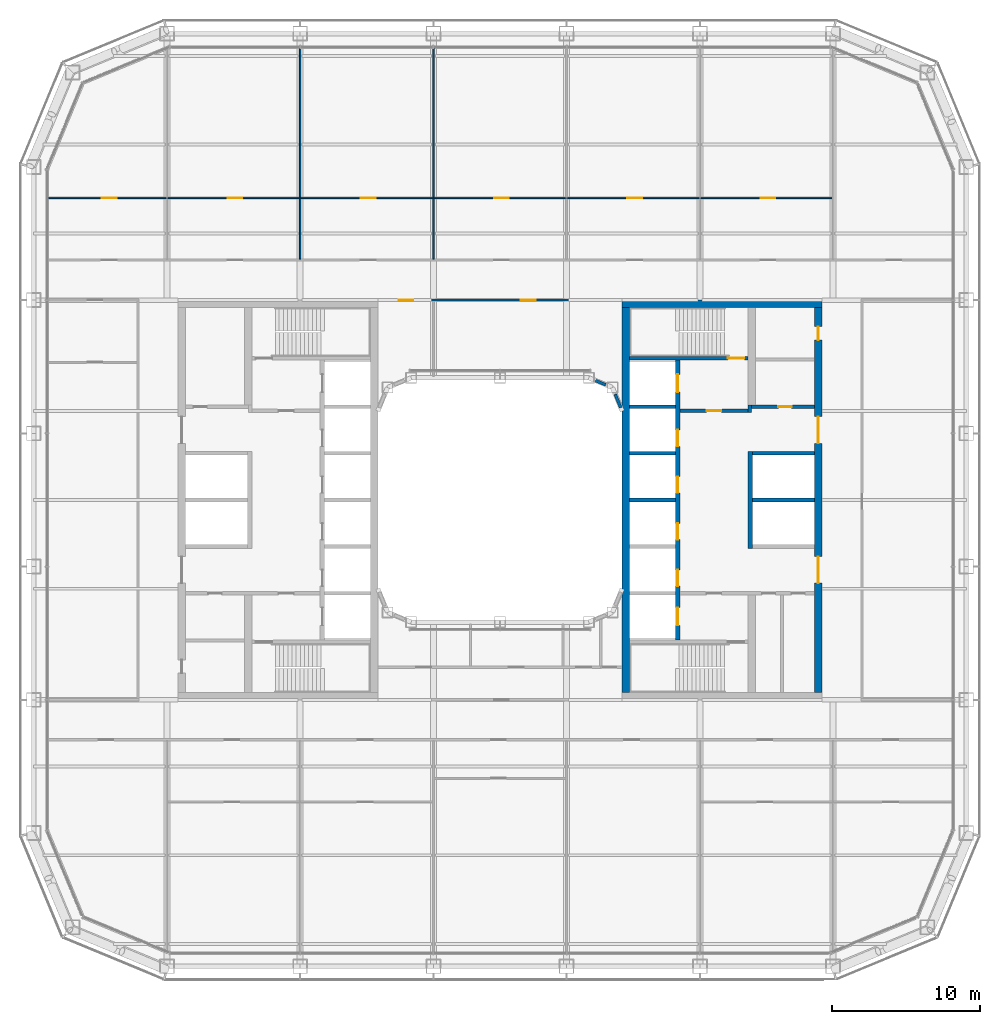
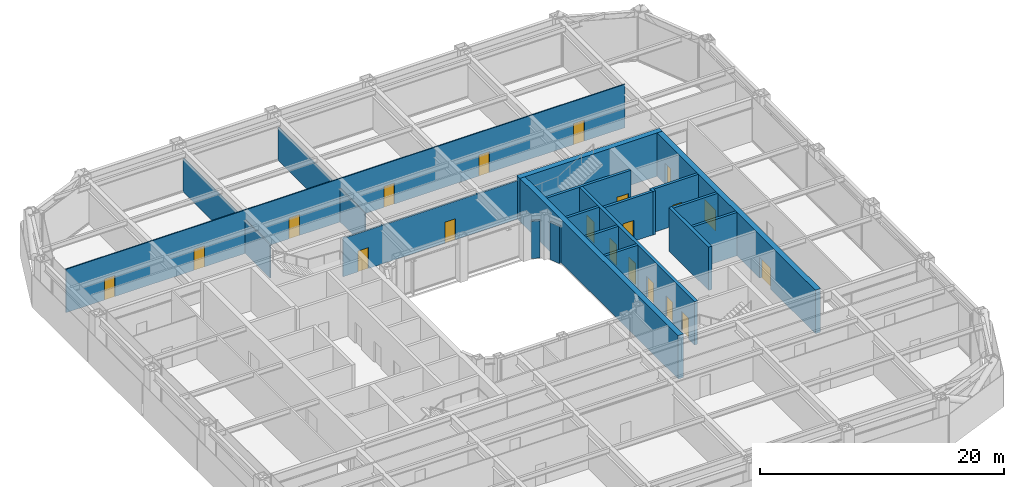
# One storey, part 14 of 24: 22 walls, 20 doors, 20 openings.
"""IFC4 building model written with IfcOpenShell, lengths in metres."""

import ifcopenshell
import ifcopenshell.guid

model = None  # the IFC model being written
_history = None  # IfcOwnerHistory: only IFC2X3 demands one
_inside = {}  # id of a spatial element -> (the spatial element, [elements in it])
_under = {}  # id of a project, library or spatial element -> (it, [spatial elements below it])
_declared = {}  # id of a project -> (the project, [libraries it declares])
_typed = {}  # id of a type object -> (the type object, [elements of that type])
_made_of = {}  # id of a material, layer set ... -> (it, [elements and type objects made of it])


def new_model(schema):
    """Start an empty IFC model of exactly this schema.

    Asked for "IFC4X3", IfcOpenShell would pick the latest addendum, in which some entities
    have other attributes; the version numbers below select the first issue.
    IFC2X3 requires an IfcOwnerHistory on every rooted entity: one is made here for all.
    """
    global model, _history
    if schema == "IFC4X3":
        model = ifcopenshell.file(schema_version=(4, 3, 0, 0))
    else:
        model = ifcopenshell.file(schema=schema)
    _inside.clear()
    _under.clear()
    _declared.clear()
    _typed.clear()
    _made_of.clear()
    _history = None
    if model.schema == "IFC2X3":
        org = make("IfcOrganization", Name="unknown")
        user = make(
            "IfcPersonAndOrganization",
            ThePerson=make("IfcPerson", FamilyName="unknown"),
            TheOrganization=org,
        )
        app = make(
            "IfcApplication",
            ApplicationDeveloper=org,
            Version="unknown",
            ApplicationFullName="unknown",
            ApplicationIdentifier="unknown",
        )
        _history = make(
            "IfcOwnerHistory",
            OwningUser=user,
            OwningApplication=app,
            ChangeAction="ADDED",
            CreationDate=0,
        )
    return model


def make(cls, **values):
    """One entity of the class cls with the attributes given. An attribute that is None is left unset."""
    return model.create_entity(
        cls, **{name: value for name, value in values.items() if value is not None}
    )


def rooted(cls, **values):
    """An entity with a GlobalId (a new one), such as an element, a storey or a relation."""
    return make(cls, GlobalId=ifcopenshell.guid.new(), OwnerHistory=_history, **values)


def si_unit(unit_type, name, prefix=None):
    """IfcSIUnit, for example si_unit("LENGTHUNIT", "METRE", prefix="MILLI")."""
    return make("IfcSIUnit", UnitType=unit_type, Prefix=prefix, Name=name)


def assignment(units):
    """IfcUnitAssignment: the units of a project."""
    return None if units is None else make("IfcUnitAssignment", Units=units)


def point(xyz):
    """IfcCartesianPoint."""
    return None if xyz is None else make("IfcCartesianPoint", Coordinates=xyz)


def direction(xyz):
    """IfcDirection."""
    return None if xyz is None else make("IfcDirection", DirectionRatios=xyz)


def frame(location, z_axis=None, x_axis=None):
    """IfcAxis2Placement3D, a coordinate frame: its origin and axes. An axis left out is left unset."""
    return make(
        "IfcAxis2Placement3D",
        Location=point(location),
        Axis=direction(z_axis),
        RefDirection=direction(x_axis),
    )


def frame_2d(location, x_axis=None):
    """IfcAxis2Placement2D, a coordinate frame in the plane: its origin and x axis."""
    return make(
        "IfcAxis2Placement2D", Location=point(location), RefDirection=direction(x_axis)
    )


def origin():
    """The frame at (0, 0, 0) with its axes left unset."""
    return frame((0.0, 0.0, 0.0))


def place(relative_to, where):
    """IfcLocalPlacement: puts the frame where relative to a parent placement (None: the world)."""
    return make(
        "IfcLocalPlacement", PlacementRelTo=relative_to, RelativePlacement=where
    )


def context(
    kind, dimensions, precision=None, world=None, true_north=None, identifier=None
):
    """IfcGeometricRepresentationContext, for example the 3D "Model" context."""
    return make(
        "IfcGeometricRepresentationContext",
        ContextIdentifier=identifier,
        ContextType=kind,
        CoordinateSpaceDimension=dimensions,
        Precision=precision,
        WorldCoordinateSystem=world,
        TrueNorth=true_north,
    )


def subcontext(parent, identifier, kind, view, scale=None):
    """IfcGeometricRepresentationSubContext, for example "Body" below "Model"."""
    return make(
        "IfcGeometricRepresentationSubContext",
        ContextIdentifier=identifier,
        ContextType=kind,
        ParentContext=parent,
        TargetScale=scale,
        TargetView=view,
    )


def project(units=None, contexts=None):
    """IfcProject with its units and contexts."""
    return rooted(
        "IfcProject",
        Name="project",
        RepresentationContexts=contexts,
        UnitsInContext=assignment(units),
    )


def spatial(cls, under=None, at=None, **own):
    """A site, building, storey or space (cls), placed at a placement, below another one or the project."""
    s = rooted(cls, ObjectPlacement=at, **own)
    if under is not None:
        _under.setdefault(under.id(), (under, []))[1].append(s)
    return s


def profile(cls, at=None, kind="AREA", **sizes):
    """A parametric profile (cls). Its sizes go by their IFC names, for example OverallWidth=200.0."""
    return make(cls, ProfileType=kind, Position=at, **sizes)


def rectangle(**sizes):
    """IfcRectangleProfileDef."""
    return profile("IfcRectangleProfileDef", **sizes)


def extrude(swept, where, along, depth):
    """IfcExtrudedAreaSolid: the profile swept, set in the frame where, extruded along a direction by depth."""
    return make(
        "IfcExtrudedAreaSolid",
        SweptArea=swept,
        Position=where,
        ExtrudedDirection=direction(along),
        Depth=depth,
    )


def shape(context_of_items, identifier, shape_type, items):
    """IfcShapeRepresentation: the items that make up one representation, for example the "Body"."""
    return make(
        "IfcShapeRepresentation",
        ContextOfItems=context_of_items,
        RepresentationIdentifier=identifier,
        RepresentationType=shape_type,
        Items=items,
    )


def material(Name=None, Category=None):
    """IfcMaterial."""
    return make("IfcMaterial", Name=Name, Category=Category)


def layer(
    of_material, thickness, ventilated=None, Name=None, Category=None, Priority=None
):
    """IfcMaterialLayer: one layer of a wall or slab, of a material (None: an air gap)."""
    return make(
        "IfcMaterialLayer",
        Material=of_material,
        LayerThickness=thickness,
        IsVentilated=ventilated,
        Name=Name,
        Category=Category,
        Priority=Priority,
    )


def layer_set(layers, Name=None):
    """IfcMaterialLayerSet."""
    return make("IfcMaterialLayerSet", MaterialLayers=layers, LayerSetName=Name)


def made_of(thing, what):
    """Note that an element or type object is made of a material, layer set ...; save() writes the relation."""
    if what is not None:
        _made_of.setdefault(what.id(), (what, []))[1].append(thing)
    return thing


def type_object(cls, material=None, **own):
    """A type object (cls), such as IfcWallType, which elements share."""
    return made_of(rooted(cls, **own), material)


def element(
    cls,
    number,
    at=None,
    inside=None,
    cuts=None,
    type_object=None,
    material=None,
    context=None,
    identifier="Body",
    shape_type=None,
    held_by="IfcProductDefinitionShape",
    body=None,
    shapes=None,
    **own,
):
    """One element of the class cls, such as IfcWall. Its Tag is "e" and its number.

    at: its placement. inside: the storey or other place that contains it. cuts: it is an
    opening in that element (IfcRelVoidsElement). A single representation is given by context,
    identifier, shape_type and body (its items); several are given by shapes. held_by: the class
    of the entity that holds the representations. save() writes the other relations.
    """
    e = rooted(cls, Tag="e%d" % number, ObjectPlacement=at, **own)
    if body is not None:
        shapes = [shape(context, identifier, shape_type, body)]
    if shapes is not None:
        e.Representation = make(held_by, Representations=shapes)
    if inside is not None:
        _inside.setdefault(inside.id(), (inside, []))[1].append(e)
    if cuts is not None:
        rooted(
            "IfcRelVoidsElement", RelatingBuildingElement=cuts, RelatedOpeningElement=e
        )
    if type_object is not None:
        _typed.setdefault(type_object.id(), (type_object, []))[1].append(e)
    return made_of(e, material)


def fill(opening, filler):
    """IfcRelFillsElement: the door or window that sits in an opening."""
    return rooted(
        "IfcRelFillsElement",
        RelatingOpeningElement=opening,
        RelatedBuildingElement=filler,
    )


def aggregate(whole, parts):
    """IfcRelAggregates: a whole, such as a stair, and the parts it consists of."""
    return rooted("IfcRelAggregates", RelatingObject=whole, RelatedObjects=parts)


def save(model, path):
    """Write the relations noted so far, then the file.

    IfcRelAggregates (storeys below a building ...), IfcRelContainedInSpatialStructure (elements
    in a storey), IfcRelDefinesByType, IfcRelAssociatesMaterial and IfcRelDeclares: one each for
    every whole, place, type object, material and project.
    """
    for whole, parts in _under.values():
        aggregate(whole, parts)
    for where, things in _inside.values():
        rooted(
            "IfcRelContainedInSpatialStructure",
            RelatedElements=things,
            RelatingStructure=where,
        )
    for kind, things in _typed.values():
        rooted("IfcRelDefinesByType", RelatedObjects=things, RelatingType=kind)
    for what, things in _made_of.values():
        rooted("IfcRelAssociatesMaterial", RelatedObjects=things, RelatingMaterial=what)
    for by, libraries in _declared.values():
        rooted("IfcRelDeclares", RelatingContext=by, RelatedDefinitions=libraries)
    model.write(path)


model = new_model("IFC4")

# Units and contexts
model_context = context("Model", 3, precision=1e-05, world=origin(), true_north=direction((0.0, 1.0)))
body_context = subcontext(model_context, "Body", "Model", "MODEL_VIEW")
ifc_project = project(units=[si_unit("LENGTHUNIT", "METRE"), si_unit("AREAUNIT", "SQUARE_METRE"), si_unit("VOLUMEUNIT", "CUBIC_METRE"), si_unit("PLANEANGLEUNIT", "RADIAN"), si_unit("MASSUNIT", "GRAM", prefix="KILO")], contexts=[model_context])

# Site, building, storey
site_placement = place(None, origin())
site = spatial("IfcSite", under=ifc_project, at=site_placement, CompositionType="ELEMENT")
building_placement = place(site_placement, origin())
building = spatial("IfcBuilding", under=site, at=building_placement, Name="Siwar Civic Tower", CompositionType="ELEMENT")
storey_placement = place(building_placement, frame((0.0, 0.0, 76.199951171875)))
storey = spatial("IfcBuildingStorey", under=building, at=storey_placement, Name="L16", CompositionType="ELEMENT", Elevation=76.199951171875)

# Wall, opening, door
ifc_material_1 = material(Name="Concrete C60/75", Category="concrete")
ifc_layer_1 = layer(ifc_material_1, 0.25)
ifc_layer_set_1 = layer_set([ifc_layer_1], Name="Concrete C60/75")
wall_type_1 = type_object("IfcWallType", Name="CORE-WALL-RC250", PredefinedType="SHEAR", material=ifc_layer_set_1)
wall_1_placement = place(storey_placement, frame((12.14990234375, 6.02490234375, 0.0), z_axis=(0.0, 0.0, 1.0), x_axis=(1.0, 0.0, 0.0)))
wall_1 = element("IfcWall", 1, at=wall_1_placement, inside=storey, type_object=wall_type_1, Name="Core wall E", PredefinedType="SHEAR", context=body_context, shape_type="SweptSolid", body=[
    extrude(rectangle(XDim=4.60009765625, YDim=0.25, at=frame_2d((2.300048828125, 0.0))), origin(), (0.0, 0.0, 1.0), 4.35009765625),
])
opening_1_placement = place(wall_1_placement, frame((1.800048828125, 0.0, 0.0)))
opening_1 = element("IfcOpeningElement", 2, at=opening_1_placement, cuts=wall_1, Name="Opening L16-CE01", PredefinedType="OPENING", context=body_context, shape_type="SweptSolid", body=[
    extrude(rectangle(XDim=1.0, YDim=2.10009765625, at=frame_2d((0.5, 1.050048828125))), frame((0.0, 0.135009765625, 0.0), z_axis=(0.0, -1.0, 0.0), x_axis=(1.0, 0.0, 0.0)), (0.0, 0.0, 1.0), 0.27001953125),
])
ifc_material_2 = material(Name="Steel door leaf", Category="steel")
door_type_1 = type_object("IfcDoorType", Name="CORE-DOOR-FD30S", OperationType="SINGLE_SWING_LEFT", PredefinedType="DOOR", material=ifc_material_2)
door_1_placement = place(opening_1_placement, origin())
door_1 = element("IfcDoor", 3, at=door_1_placement, inside=storey, type_object=door_type_1, Name="Firefighting lobby door L16-CE01", OperationType="SINGLE_SWING_RIGHT", OverallHeight=2.10009765625, OverallWidth=1.0, PredefinedType="DOOR", context=body_context, shape_type="SweptSolid", body=[
    extrude(rectangle(XDim=1.0, YDim=2.10009765625, at=frame_2d((0.5, 1.050048828125))), frame((0.0, 0.02490234375, 0.0), z_axis=(0.0, -1.0, 0.0), x_axis=(1.0, 0.0, 0.0)), (0.0, 0.0, 1.0), 0.050048828125),
])
fill(opening_1, door_1)

# Wall
wall_2_placement = place(storey_placement, frame((16.875, 5.89990234375, 0.0), z_axis=(0.0, 0.0, 1.0), x_axis=(0.0, 1.0, 0.0)))
element("IfcWall", 4, at=wall_2_placement, inside=storey, type_object=wall_type_1, Name="Core wall E", PredefinedType="SHEAR", context=body_context, shape_type="SweptSolid", body=[
    extrude(rectangle(XDim=0.525146484375, YDim=0.25, at=frame_2d((0.2626953125, 0.0))), origin(), (0.0, 0.0, 1.0), 4.35009765625),
])

# Wall, opening, door
wall_3_placement = place(storey_placement, frame((17.0, 6.300048828125, 0.0), z_axis=(0.0, 0.0, 1.0), x_axis=(1.0, 0.0, 0.0)))
wall_3 = element("IfcWall", 5, at=wall_3_placement, inside=storey, type_object=wall_type_1, Name="Core wall E", PredefinedType="SHEAR", context=body_context, shape_type="SweptSolid", body=[
    extrude(rectangle(XDim=4.25, YDim=0.25, at=frame_2d((2.125, 0.0))), origin(), (0.0, 0.0, 1.0), 4.35009765625),
])
opening_2_placement = place(wall_3_placement, frame((1.800048828125, 0.0, 0.0)))
opening_2 = element("IfcOpeningElement", 6, at=opening_2_placement, cuts=wall_3, Name="Opening L16-CE13", PredefinedType="OPENING", context=body_context, shape_type="SweptSolid", body=[
    extrude(rectangle(XDim=0.89990234375, YDim=2.10009765625, at=frame_2d((0.449951171875, 1.050048828125))), frame((0.0, 0.135009765625, 0.0), z_axis=(0.0, -1.0, 0.0), x_axis=(1.0, 0.0, 0.0)), (0.0, 0.0, 1.0), 0.27001953125),
])
ifc_material_3 = material(Name="Steel door leaf", Category="steel")
door_type_2 = type_object("IfcDoorType", Name="CORE-DOOR-ROOM", OperationType="SINGLE_SWING_LEFT", PredefinedType="DOOR", material=ifc_material_3)
door_2_placement = place(opening_2_placement, origin())
door_2 = element("IfcDoor", 7, at=door_2_placement, inside=storey, type_object=door_type_2, Name="Core room door L16-CE13", OperationType="SINGLE_SWING_RIGHT", OverallHeight=2.10009765625, OverallWidth=0.89990234375, PredefinedType="DOOR", context=body_context, shape_type="SweptSolid", body=[
    extrude(rectangle(XDim=0.89990234375, YDim=2.10009765625, at=frame_2d((0.449951171875, 1.050048828125))), frame((0.0, 0.02490234375, 0.0), z_axis=(0.0, -1.0, 0.0), x_axis=(1.0, 0.0, 0.0)), (0.0, 0.0, 1.0), 0.050048828125),
])
fill(opening_2, door_2)

# Walls
for number, where, z_axis, x_axis, name in (
    (8, (17.050048828125, 0.0, 0.0), (0.0, 0.0, 1.0), (1.0, 0.0, 0.0), "Core wall E"),
    (9, (17.050048828125, 3.14990234375, 0.0), (0.0, 0.0, 1.0), (1.0, 0.0, 0.0), "Core wall E"),
):
    element("IfcWall", number, at=place(storey_placement, frame(where, z_axis=z_axis, x_axis=x_axis)), inside=storey, type_object=wall_type_1, Name=name, PredefinedType="SHEAR", context=body_context, shape_type="SweptSolid", body=[
        extrude(rectangle(XDim=4.199951171875, YDim=0.25, at=frame_2d((2.10009765625, 0.0))), origin(), (0.0, 0.0, 1.0), 4.35009765625),
    ])
for number, where, z_axis, x_axis, name in (
    (10, (8.75, 0.0, 0.0), (0.0, 0.0, 1.0), (1.0, 0.0, 0.0), "Core wall E"),
    (11, (8.75, 3.14990234375, 0.0), (0.0, 0.0, 1.0), (1.0, 0.0, 0.0), "Core wall E"),
    (12, (8.75, 6.300048828125, 0.0), (0.0, 0.0, 1.0), (1.0, 0.0, 0.0), "Core wall E"),
):
    element("IfcWall", number, at=place(storey_placement, frame(where, z_axis=z_axis, x_axis=x_axis)), inside=storey, type_object=wall_type_1, Name=name, PredefinedType="SHEAR", context=body_context, shape_type="SweptSolid", body=[
        extrude(rectangle(XDim=3.10009765625, YDim=0.25, at=frame_2d((1.550048828125, 0.0))), origin(), (0.0, 0.0, 1.0), 4.35009765625),
    ])

# Wall, opening, door
wall_4_placement = place(storey_placement, frame((8.75, 9.574951171875, 0.0), z_axis=(0.0, 0.0, 1.0), x_axis=(1.0, 0.0, 0.0)))
wall_4 = element("IfcWall", 13, at=wall_4_placement, inside=storey, type_object=wall_type_1, Name="Core wall E", PredefinedType="SHEAR", context=body_context, shape_type="SweptSolid", body=[
    extrude(rectangle(XDim=8.0, YDim=0.25, at=frame_2d((4.0, 0.0))), origin(), (0.0, 0.0, 1.0), 4.35009765625),
])
opening_3_placement = place(wall_4_placement, frame((6.64990234375, 0.0, 0.0)))
opening_3 = element("IfcOpeningElement", 14, at=opening_3_placement, cuts=wall_4, Name="Opening L16-CE03", PredefinedType="OPENING", context=body_context, shape_type="SweptSolid", body=[
    extrude(rectangle(XDim=1.10009765625, YDim=2.10009765625, at=frame_2d((0.550048828125, 1.050048828125))), frame((0.0, 0.135009765625, 0.0), z_axis=(0.0, -1.0, 0.0), x_axis=(1.0, 0.0, 0.0)), (0.0, 0.0, 1.0), 0.27001953125),
])
ifc_material_4 = material(Name="Steel door leaf", Category="steel")
door_type_3 = type_object("IfcDoorType", Name="CORE-DOOR-FD60S", OperationType="SINGLE_SWING_LEFT", PredefinedType="DOOR", material=ifc_material_4)
door_3_placement = place(opening_3_placement, origin())
door_3 = element("IfcDoor", 15, at=door_3_placement, inside=storey, type_object=door_type_3, Name="Stair door L16-CE03", OperationType="SINGLE_SWING_LEFT", OverallHeight=2.10009765625, OverallWidth=1.10009765625, PredefinedType="DOOR", context=body_context, shape_type="SweptSolid", body=[
    extrude(rectangle(XDim=1.10009765625, YDim=2.10009765625, at=frame_2d((0.550048828125, 1.050048828125))), frame((0.0, 0.02490234375, 0.0), z_axis=(0.0, -1.0, 0.0), x_axis=(1.0, 0.0, 0.0)), (0.0, 0.0, 1.0), 0.050048828125),
])
fill(opening_3, door_3)

# Wall, openings, doors
ifc_material_5 = material(Name="Concrete C60/75", Category="concrete")
ifc_layer_2 = layer(ifc_material_5, 0.300048828125)
ifc_layer_set_2 = layer_set([ifc_layer_2], Name="Concrete C60/75")
wall_type_2 = type_object("IfcWallType", Name="CORE-WALL-RC300", PredefinedType="SHEAR", material=ifc_layer_set_2)
wall_5_placement = place(storey_placement, frame((12.0, -9.449951171875, 0.0), z_axis=(0.0, 0.0, 1.0), x_axis=(0.0, 1.0, 0.0)))
wall_5 = element("IfcWall", 16, at=wall_5_placement, inside=storey, type_object=wall_type_2, Name="Core wall E", PredefinedType="SHEAR", context=body_context, shape_type="SweptSolid", body=[
    extrude(rectangle(XDim=18.89990234375, YDim=0.300048828125, at=frame_2d((9.449951171875, 0.0))), origin(), (0.0, 0.0, 1.0), 4.35009765625),
])
opening_4_placement = place(wall_5_placement, frame((3.625, 0.0, 0.0)))
opening_4 = element("IfcOpeningElement", 17, at=opening_4_placement, cuts=wall_5, Name="Opening L16-CE07", PredefinedType="OPENING", context=body_context, shape_type="SweptSolid", body=[
    extrude(rectangle(XDim=1.10009765625, YDim=2.10009765625, at=frame_2d((0.550048828125, 1.050048828125))), frame((0.0, 0.16015625, 0.0), z_axis=(0.0, -1.0, 0.0), x_axis=(1.0, 0.0, 0.0)), (0.0, 0.0, 1.0), 0.320068359375),
])
opening_5_placement = place(wall_5_placement, frame((6.77490234375, 0.0, 0.0)))
opening_5 = element("IfcOpeningElement", 18, at=opening_5_placement, cuts=wall_5, Name="Opening L16-CE08", PredefinedType="OPENING", context=body_context, shape_type="SweptSolid", body=[
    extrude(rectangle(XDim=1.10009765625, YDim=2.10009765625, at=frame_2d((0.550048828125, 1.050048828125))), frame((0.0, 0.16015625, 0.0), z_axis=(0.0, -1.0, 0.0), x_axis=(1.0, 0.0, 0.0)), (0.0, 0.0, 1.0), 0.320068359375),
])
opening_6_placement = place(wall_5_placement, frame((9.925048828125, 0.0, 0.0)))
opening_6 = element("IfcOpeningElement", 19, at=opening_6_placement, cuts=wall_5, Name="Opening L16-CE09", PredefinedType="OPENING", context=body_context, shape_type="SweptSolid", body=[
    extrude(rectangle(XDim=1.10009765625, YDim=2.10009765625, at=frame_2d((0.550048828125, 1.050048828125))), frame((0.0, 0.16015625, 0.0), z_axis=(0.0, -1.0, 0.0), x_axis=(1.0, 0.0, 0.0)), (0.0, 0.0, 1.0), 0.320068359375),
])
opening_7_placement = place(wall_5_placement, frame((13.074951171875, 0.0, 0.0)))
opening_7 = element("IfcOpeningElement", 20, at=opening_7_placement, cuts=wall_5, Name="Opening L16-CE10", PredefinedType="OPENING", context=body_context, shape_type="SweptSolid", body=[
    extrude(rectangle(XDim=1.10009765625, YDim=2.10009765625, at=frame_2d((0.550048828125, 1.050048828125))), frame((0.0, 0.16015625, 0.0), z_axis=(0.0, -1.0, 0.0), x_axis=(1.0, 0.0, 0.0)), (0.0, 0.0, 1.0), 0.320068359375),
])
opening_8_placement = place(wall_5_placement, frame((16.72509765625, 0.0, 0.0)))
opening_8 = element("IfcOpeningElement", 21, at=opening_8_placement, cuts=wall_5, Name="Opening L16-CE11", PredefinedType="OPENING", context=body_context, shape_type="SweptSolid", body=[
    extrude(rectangle(XDim=1.199951171875, YDim=2.10009765625, at=frame_2d((0.60009765625, 1.050048828125))), frame((0.0, 0.16015625, 0.0), z_axis=(0.0, -1.0, 0.0), x_axis=(1.0, 0.0, 0.0)), (0.0, 0.0, 1.0), 0.320068359375),
])
opening_9_placement = place(wall_5_placement, frame((0.97509765625, 0.0, 0.0)))
opening_9 = element("IfcOpeningElement", 22, at=opening_9_placement, cuts=wall_5, Name="Opening L16-CE12", PredefinedType="OPENING", context=body_context, shape_type="SweptSolid", body=[
    extrude(rectangle(XDim=1.199951171875, YDim=2.10009765625, at=frame_2d((0.60009765625, 1.050048828125))), frame((0.0, 0.16015625, 0.0), z_axis=(0.0, -1.0, 0.0), x_axis=(1.0, 0.0, 0.0)), (0.0, 0.0, 1.0), 0.320068359375),
])
ifc_material_6 = material(Name="Steel door leaf", Category="steel")
door_type_4 = type_object("IfcDoorType", Name="CORE-DOOR-LD", OperationType="DOUBLE_DOOR_SLIDING", PredefinedType="DOOR", material=ifc_material_6)
door_4_placement = place(opening_4_placement, origin())
door_4 = element("IfcDoor", 23, at=door_4_placement, inside=storey, type_object=door_type_4, Name="Landing door LR5 L16-CE07", OperationType="DOUBLE_DOOR_SLIDING", OverallHeight=2.10009765625, OverallWidth=1.10009765625, PredefinedType="DOOR", context=body_context, shape_type="SweptSolid", body=[
    extrude(rectangle(XDim=1.10009765625, YDim=2.10009765625, at=frame_2d((0.550048828125, 1.050048828125))), frame((0.0, 0.02490234375, 0.0), z_axis=(0.0, -1.0, 0.0), x_axis=(1.0, 0.0, 0.0)), (0.0, 0.0, 1.0), 0.050048828125),
])
fill(opening_4, door_4)
door_5_placement = place(opening_5_placement, origin())
door_5 = element("IfcDoor", 24, at=door_5_placement, inside=storey, type_object=door_type_4, Name="Landing door LR6 L16-CE08", OperationType="DOUBLE_DOOR_SLIDING", OverallHeight=2.10009765625, OverallWidth=1.10009765625, PredefinedType="DOOR", context=body_context, shape_type="SweptSolid", body=[
    extrude(rectangle(XDim=1.10009765625, YDim=2.10009765625, at=frame_2d((0.550048828125, 1.050048828125))), frame((0.0, 0.02490234375, 0.0), z_axis=(0.0, -1.0, 0.0), x_axis=(1.0, 0.0, 0.0)), (0.0, 0.0, 1.0), 0.050048828125),
])
fill(opening_5, door_5)
door_6_placement = place(opening_6_placement, origin())
door_6 = element("IfcDoor", 25, at=door_6_placement, inside=storey, type_object=door_type_4, Name="Landing door LR7 L16-CE09", OperationType="DOUBLE_DOOR_SLIDING", OverallHeight=2.10009765625, OverallWidth=1.10009765625, PredefinedType="DOOR", context=body_context, shape_type="SweptSolid", body=[
    extrude(rectangle(XDim=1.10009765625, YDim=2.10009765625, at=frame_2d((0.550048828125, 1.050048828125))), frame((0.0, 0.02490234375, 0.0), z_axis=(0.0, -1.0, 0.0), x_axis=(1.0, 0.0, 0.0)), (0.0, 0.0, 1.0), 0.050048828125),
])
fill(opening_6, door_6)
door_7_placement = place(opening_7_placement, origin())
door_7 = element("IfcDoor", 26, at=door_7_placement, inside=storey, type_object=door_type_4, Name="Landing door LR8 L16-CE10", OperationType="DOUBLE_DOOR_SLIDING", OverallHeight=2.10009765625, OverallWidth=1.10009765625, PredefinedType="DOOR", context=body_context, shape_type="SweptSolid", body=[
    extrude(rectangle(XDim=1.10009765625, YDim=2.10009765625, at=frame_2d((0.550048828125, 1.050048828125))), frame((0.0, 0.02490234375, 0.0), z_axis=(0.0, -1.0, 0.0), x_axis=(1.0, 0.0, 0.0)), (0.0, 0.0, 1.0), 0.050048828125),
])
fill(opening_7, door_7)
ifc_material_7 = material(Name="Steel door leaf", Category="steel")
door_type_5 = type_object("IfcDoorType", Name="CORE-DOOR-LDW", OperationType="DOUBLE_DOOR_SLIDING", PredefinedType="DOOR", material=ifc_material_7)
door_8_placement = place(opening_8_placement, origin())
door_8 = element("IfcDoor", 27, at=door_8_placement, inside=storey, type_object=door_type_5, Name="Landing door FF2 L16-CE11", OperationType="DOUBLE_DOOR_SLIDING", OverallHeight=2.10009765625, OverallWidth=1.199951171875, PredefinedType="DOOR", context=body_context, shape_type="SweptSolid", body=[
    extrude(rectangle(XDim=1.199951171875, YDim=2.10009765625, at=frame_2d((0.60009765625, 1.050048828125))), frame((0.0, 0.02490234375, 0.0), z_axis=(0.0, -1.0, 0.0), x_axis=(1.0, 0.0, 0.0)), (0.0, 0.0, 1.0), 0.050048828125),
])
fill(opening_8, door_8)
door_9_placement = place(opening_9_placement, origin())
door_9 = element("IfcDoor", 28, at=door_9_placement, inside=storey, type_object=door_type_5, Name="Landing door SV2 L16-CE12", OperationType="DOUBLE_DOOR_SLIDING", OverallHeight=2.10009765625, OverallWidth=1.199951171875, PredefinedType="DOOR", context=body_context, shape_type="SweptSolid", body=[
    extrude(rectangle(XDim=1.199951171875, YDim=2.10009765625, at=frame_2d((0.60009765625, 1.050048828125))), frame((0.0, 0.02490234375, 0.0), z_axis=(0.0, -1.0, 0.0), x_axis=(1.0, 0.0, 0.0)), (0.0, 0.0, 1.0), 0.050048828125),
])
fill(opening_9, door_9)

# Wall
wall_6_placement = place(storey_placement, frame((16.89990234375, -3.27490234375, 0.0), z_axis=(0.0, 0.0, 1.0), x_axis=(0.0, 1.0, 0.0)))
element("IfcWall", 29, at=wall_6_placement, inside=storey, type_object=wall_type_2, Name="Core wall E", PredefinedType="SHEAR", context=body_context, shape_type="SweptSolid", body=[
    extrude(rectangle(XDim=6.5498046875, YDim=0.300048828125, at=frame_2d((3.27490234375, 0.0))), origin(), (0.0, 0.0, 1.0), 4.35009765625),
])

# Wall, openings, doors
ifc_material_8 = material(Name="Concrete C60/75", Category="concrete")
ifc_layer_3 = layer(ifc_material_8, 0.5)
ifc_layer_set_3 = layer_set([ifc_layer_3], Name="Concrete C60/75")
wall_type_3 = type_object("IfcWallType", Name="CORE-WALL-RC500", PredefinedType="SHEAR", material=ifc_layer_set_3)
wall_7_placement = place(storey_placement, frame((21.5, -13.0, 0.0), z_axis=(0.0, 0.0, 1.0), x_axis=(0.0, 1.0, 0.0)))
wall_7 = element("IfcWall", 30, at=wall_7_placement, inside=storey, type_object=wall_type_3, Name="Core wall E", PredefinedType="SHEAR", context=body_context, shape_type="SweptSolid", body=[
    extrude(rectangle(XDim=26.0, YDim=0.5, at=frame_2d((13.0, 0.0))), origin(), (0.0, 0.0, 1.0), 4.35009765625),
])
opening_10_placement = place(wall_7_placement, frame((16.824951171875, 0.0, 0.0)))
opening_10 = element("IfcOpeningElement", 31, at=opening_10_placement, cuts=wall_7, Name="Opening L16-CE05", PredefinedType="OPENING", context=body_context, shape_type="SweptSolid", body=[
    extrude(rectangle(XDim=1.800048828125, YDim=2.10009765625, at=frame_2d((0.89990234375, 1.050048828125))), frame((0.0, 0.260009765625, 0.0), z_axis=(0.0, -1.0, 0.0), x_axis=(1.0, 0.0, 0.0)), (0.0, 0.0, 1.0), 0.52001953125),
])
opening_11_placement = place(wall_7_placement, frame((7.375, 0.0, 0.0)))
opening_11 = element("IfcOpeningElement", 32, at=opening_11_placement, cuts=wall_7, Name="Opening L16-CE06", PredefinedType="OPENING", context=body_context, shape_type="SweptSolid", body=[
    extrude(rectangle(XDim=1.800048828125, YDim=2.10009765625, at=frame_2d((0.89990234375, 1.050048828125))), frame((0.0, 0.260009765625, 0.0), z_axis=(0.0, -1.0, 0.0), x_axis=(1.0, 0.0, 0.0)), (0.0, 0.0, 1.0), 0.52001953125),
])
opening_12_placement = place(wall_7_placement, frame((23.800048828125, 0.0, 0.0)))
opening_12 = element("IfcOpeningElement", 33, at=opening_12_placement, cuts=wall_7, Name="Opening L16-CE14", PredefinedType="OPENING", context=body_context, shape_type="SweptSolid", body=[
    extrude(rectangle(XDim=0.89990234375, YDim=2.10009765625, at=frame_2d((0.449951171875, 1.050048828125))), frame((0.0, 0.260009765625, 0.0), z_axis=(0.0, -1.0, 0.0), x_axis=(1.0, 0.0, 0.0)), (0.0, 0.0, 1.0), 0.52001953125),
])
ifc_material_9 = material(Name="Steel door leaf", Category="steel")
door_type_6 = type_object("IfcDoorType", Name="CORE-DOOR-PORT", OperationType="DOUBLE_DOOR_DOUBLE_SWING", PredefinedType="DOOR", material=ifc_material_9)
door_10_placement = place(opening_10_placement, origin())
door_10 = element("IfcDoor", 34, at=door_10_placement, inside=storey, type_object=door_type_6, Name="Core entrance door L16-CE05", OperationType="DOUBLE_DOOR_DOUBLE_SWING", OverallHeight=2.10009765625, OverallWidth=1.800048828125, PredefinedType="DOOR", context=body_context, shape_type="SweptSolid", body=[
    extrude(rectangle(XDim=1.800048828125, YDim=2.10009765625, at=frame_2d((0.89990234375, 1.050048828125))), frame((0.0, 0.02490234375, 0.0), z_axis=(0.0, -1.0, 0.0), x_axis=(1.0, 0.0, 0.0)), (0.0, 0.0, 1.0), 0.050048828125),
])
fill(opening_10, door_10)
door_11_placement = place(opening_11_placement, origin())
door_11 = element("IfcDoor", 35, at=door_11_placement, inside=storey, type_object=door_type_6, Name="Core entrance door L16-CE06", OperationType="DOUBLE_DOOR_DOUBLE_SWING", OverallHeight=2.10009765625, OverallWidth=1.800048828125, PredefinedType="DOOR", context=body_context, shape_type="SweptSolid", body=[
    extrude(rectangle(XDim=1.800048828125, YDim=2.10009765625, at=frame_2d((0.89990234375, 1.050048828125))), frame((0.0, 0.02490234375, 0.0), z_axis=(0.0, -1.0, 0.0), x_axis=(1.0, 0.0, 0.0)), (0.0, 0.0, 1.0), 0.050048828125),
])
fill(opening_11, door_11)
door_12_placement = place(opening_12_placement, origin())
door_12 = element("IfcDoor", 36, at=door_12_placement, inside=storey, type_object=door_type_2, Name="Core room door L16-CE14", OperationType="SINGLE_SWING_RIGHT", OverallHeight=2.10009765625, OverallWidth=0.89990234375, PredefinedType="DOOR", context=body_context, shape_type="SweptSolid", body=[
    extrude(rectangle(XDim=0.89990234375, YDim=2.10009765625, at=frame_2d((0.449951171875, 1.050048828125))), frame((0.0, 0.02490234375, 0.0), z_axis=(0.0, -1.0, 0.0), x_axis=(1.0, 0.0, 0.0)), (0.0, 0.0, 1.0), 0.050048828125),
])
fill(opening_12, door_12)

# Walls
wall_8_placement = place(storey_placement, frame((8.25, 13.25, 0.0), z_axis=(0.0, 0.0, 1.0), x_axis=(1.0, 0.0, 0.0)))
element("IfcWall", 37, at=wall_8_placement, inside=storey, type_object=wall_type_3, Name="Core wall E", PredefinedType="SHEAR", context=body_context, shape_type="SweptSolid", body=[
    extrude(rectangle(XDim=13.5, YDim=0.5, at=frame_2d((6.75, 0.0))), origin(), (0.0, 0.0, 1.0), 4.35009765625),
])
ifc_material_10 = material(Name="Concrete C60/75", Category="concrete")
ifc_layer_4 = layer(ifc_material_10, 0.5)
ifc_layer_set_4 = layer_set([ifc_layer_4], Name="Concrete C60/75")
wall_type_4 = type_object("IfcWallType", Name="CORE-WALL-RC500-EXT", PredefinedType="SHEAR", material=ifc_layer_set_4)
wall_9_placement = place(storey_placement, frame((8.5, -13.0, 0.0), z_axis=(0.0, 0.0, 1.0), x_axis=(0.0, 1.0, 0.0)))
element("IfcWall", 38, at=wall_9_placement, inside=storey, type_object=wall_type_4, Name="Core wall E", PredefinedType="SHEAR", context=body_context, shape_type="SweptSolid", body=[
    extrude(rectangle(XDim=26.0, YDim=0.5, at=frame_2d((13.0, 0.0))), origin(), (0.0, 0.0, 1.0), 4.35009765625),
])

# Wall, openings, doors
ifc_material_11 = material(Name="Gypsum board on steel studs", Category="steel")
ifc_layer_5 = layer(ifc_material_11, 0.14990234375)
ifc_layer_set_5 = layer_set([ifc_layer_5], Name="Gypsum board on steel studs")
wall_type_5 = type_object("IfcWallType", Name="CORRIDOR PARTITION 150 EI 30", PredefinedType="PARTITIONING", material=ifc_layer_set_5)
wall_10_placement = place(storey_placement, frame((-8.25, 13.5, 0.0), z_axis=(0.0, 0.0, 1.0), x_axis=(1.0, 0.0, 0.0)))
wall_10 = element("IfcWall", 39, at=wall_10_placement, inside=storey, type_object=wall_type_5, Name="L16/wall/P12", PredefinedType="PARTITIONING", context=body_context, shape_type="SweptSolid", body=[
    extrude(rectangle(XDim=16.5, YDim=0.14990234375, at=frame_2d((8.25, 0.0))), origin(), (0.0, 0.0, 1.0), 3.85009765625),
])
opening_13_placement = place(wall_10_placement, frame((1.39990234375, 0.0, 0.0)))
opening_13 = element("IfcOpeningElement", 40, at=opening_13_placement, cuts=wall_10, Name="Opening D1", PredefinedType="OPENING", context=body_context, shape_type="SweptSolid", body=[
    extrude(rectangle(XDim=1.0, YDim=2.10009765625, at=frame_2d((0.5, 1.050048828125))), frame((0.0, 0.0849609375, 0.0), z_axis=(0.0, -1.0, 0.0), x_axis=(1.0, 0.0, 0.0)), (0.0, 0.0, 1.0), 0.169921875),
])
opening_14_placement = place(wall_10_placement, frame((9.64990234375, 0.0, 0.0)))
opening_14 = element("IfcOpeningElement", 41, at=opening_14_placement, cuts=wall_10, Name="Opening D1", PredefinedType="OPENING", context=body_context, shape_type="SweptSolid", body=[
    extrude(rectangle(XDim=1.0, YDim=2.10009765625, at=frame_2d((0.5, 1.050048828125))), frame((0.0, 0.0849609375, 0.0), z_axis=(0.0, -1.0, 0.0), x_axis=(1.0, 0.0, 0.0)), (0.0, 0.0, 1.0), 0.169921875),
])
ifc_material_12 = material(Name="Timber, painted", Category="wood")
door_type_7 = type_object("IfcDoorType", Name="DOOR 1000 X 2100 FD30", OperationType="SINGLE_SWING_LEFT", PredefinedType="DOOR", material=ifc_material_12)
door_13_placement = place(opening_13_placement, origin())
door_13 = element("IfcDoor", 42, at=door_13_placement, inside=storey, type_object=door_type_7, Name="L16-D29", OperationType="SINGLE_SWING_LEFT", OverallHeight=2.10009765625, OverallWidth=1.0, PredefinedType="DOOR", context=body_context, shape_type="SweptSolid", body=[
    extrude(rectangle(XDim=1.0, YDim=2.10009765625, at=frame_2d((0.5, 1.050048828125))), frame((0.0, 0.02490234375, 0.0), z_axis=(0.0, -1.0, 0.0), x_axis=(1.0, 0.0, 0.0)), (0.0, 0.0, 1.0), 0.050048828125),
])
fill(opening_13, door_13)
door_14_placement = place(opening_14_placement, origin())
door_14 = element("IfcDoor", 43, at=door_14_placement, inside=storey, type_object=door_type_7, Name="L16-D30", OperationType="SINGLE_SWING_RIGHT", OverallHeight=2.10009765625, OverallWidth=1.0, PredefinedType="DOOR", context=body_context, shape_type="SweptSolid", body=[
    extrude(rectangle(XDim=1.0, YDim=2.10009765625, at=frame_2d((0.5, 1.050048828125))), frame((0.0, 0.02490234375, 0.0), z_axis=(0.0, -1.0, 0.0), x_axis=(1.0, 0.0, 0.0)), (0.0, 0.0, 1.0), 0.050048828125),
])
fill(opening_14, door_14)

# Walls
ifc_material_13 = material(Name="Aluminium clad insulated panel", Category="aluminium")
ifc_layer_6 = layer(ifc_material_13, 0.199951171875)
ifc_layer_set_6 = layer_set([ifc_layer_6], Name="Aluminium clad insulated panel")
wall_type_6 = type_object("IfcWallType", Name="ENV-WALL-WELL", PredefinedType="STANDARD", material=ifc_layer_set_6)
wall_11_placement = place(storey_placement, frame((8.154296875, 6.23095703125, 0.0), z_axis=(0.0, 0.0, 1.0), x_axis=(-0.382549378284, 0.923935048136, 0.0)))
element("IfcWall", 44, at=wall_11_placement, inside=storey, type_object=wall_type_6, Name="Light well corner wall NE1", PredefinedType="STANDARD", context=body_context, shape_type="SweptSolid", body=[
    extrude(rectangle(XDim=0.982177734375, YDim=0.199951171875, at=frame_2d((0.4912109375, 0.0))), origin(), (0.0, 0.0, 1.0), 3.72998046875),
])
wall_12_placement = place(storey_placement, frame((7.138427734375, 7.778564453125, 0.0), z_axis=(0.0, 0.0, 1.0), x_axis=(-0.923940677943, 0.382535780864, 0.0)))
element("IfcWall", 45, at=wall_12_placement, inside=storey, type_object=wall_type_6, Name="Light well corner wall NE2", PredefinedType="STANDARD", context=body_context, shape_type="SweptSolid", body=[
    extrude(rectangle(XDim=0.7421875, YDim=0.199951171875, at=frame_2d((0.37109375, 0.0))), origin(), (0.0, 0.0, 1.0), 3.72998046875),
])

# Wall, openings, doors
ifc_material_14 = material(Name="Gypsum board on steel studs", Category="steel")
ifc_layer_7 = layer(ifc_material_14, 0.10009765625)
ifc_layer_set_7 = layer_set([ifc_layer_7], Name="Gypsum board on steel studs")
wall_type_7 = type_object("IfcWallType", Name="PARTITION 100 GYPSUM", PredefinedType="PARTITIONING", material=ifc_layer_set_7)
wall_13_placement = place(storey_placement, frame((-30.510009765625, 20.39990234375, 0.0), z_axis=(0.0, 0.0, 1.0), x_axis=(1.0, 0.0, 0.0)))
wall_13 = element("IfcWall", 46, at=wall_13_placement, inside=storey, type_object=wall_type_7, Name="L16/wall/P15", PredefinedType="PARTITIONING", context=body_context, shape_type="SweptSolid", body=[
    extrude(rectangle(XDim=52.9599609375, YDim=0.10009765625, at=frame_2d((26.47998046875, 0.0))), origin(), (0.0, 0.0, 1.0), 4.35009765625),
])
opening_15_placement = place(wall_13_placement, frame((12.110107421875, 0.0, 0.0)))
opening_15 = element("IfcOpeningElement", 47, at=opening_15_placement, cuts=wall_13, Name="Opening D2", PredefinedType="OPENING", context=body_context, shape_type="SweptSolid", body=[
    extrude(rectangle(XDim=1.0, YDim=2.10009765625, at=frame_2d((0.5, 1.050048828125))), frame((0.0, 0.06005859375, 0.0), z_axis=(0.0, -1.0, 0.0), x_axis=(1.0, 0.0, 0.0)), (0.0, 0.0, 1.0), 0.1201171875),
])
opening_16_placement = place(wall_13_placement, frame((21.110107421875, 0.0, 0.0)))
opening_16 = element("IfcOpeningElement", 48, at=opening_16_placement, cuts=wall_13, Name="Opening D2", PredefinedType="OPENING", context=body_context, shape_type="SweptSolid", body=[
    extrude(rectangle(XDim=1.0, YDim=2.10009765625, at=frame_2d((0.5, 1.050048828125))), frame((0.0, 0.06005859375, 0.0), z_axis=(0.0, -1.0, 0.0), x_axis=(1.0, 0.0, 0.0)), (0.0, 0.0, 1.0), 0.1201171875),
])
opening_17_placement = place(wall_13_placement, frame((30.110107421875, 0.0, 0.0)))
opening_17 = element("IfcOpeningElement", 49, at=opening_17_placement, cuts=wall_13, Name="Opening D2", PredefinedType="OPENING", context=body_context, shape_type="SweptSolid", body=[
    extrude(rectangle(XDim=1.0, YDim=2.10009765625, at=frame_2d((0.5, 1.050048828125))), frame((0.0, 0.06005859375, 0.0), z_axis=(0.0, -1.0, 0.0), x_axis=(1.0, 0.0, 0.0)), (0.0, 0.0, 1.0), 0.1201171875),
])
opening_18_placement = place(wall_13_placement, frame((39.110107421875, 0.0, 0.0)))
opening_18 = element("IfcOpeningElement", 50, at=opening_18_placement, cuts=wall_13, Name="Opening D2", PredefinedType="OPENING", context=body_context, shape_type="SweptSolid", body=[
    extrude(rectangle(XDim=1.0, YDim=2.10009765625, at=frame_2d((0.5, 1.050048828125))), frame((0.0, 0.06005859375, 0.0), z_axis=(0.0, -1.0, 0.0), x_axis=(1.0, 0.0, 0.0)), (0.0, 0.0, 1.0), 0.1201171875),
])
opening_19_placement = place(wall_13_placement, frame((48.110107421875, 0.0, 0.0)))
opening_19 = element("IfcOpeningElement", 51, at=opening_19_placement, cuts=wall_13, Name="Opening D2", PredefinedType="OPENING", context=body_context, shape_type="SweptSolid", body=[
    extrude(rectangle(XDim=1.0, YDim=2.10009765625, at=frame_2d((0.5, 1.050048828125))), frame((0.0, 0.06005859375, 0.0), z_axis=(0.0, -1.0, 0.0), x_axis=(1.0, 0.0, 0.0)), (0.0, 0.0, 1.0), 0.1201171875),
])
opening_20_placement = place(wall_13_placement, frame((3.610107421875, 0.0, 0.0)))
opening_20 = element("IfcOpeningElement", 52, at=opening_20_placement, cuts=wall_13, Name="Opening D2", PredefinedType="OPENING", context=body_context, shape_type="SweptSolid", body=[
    extrude(rectangle(XDim=1.0, YDim=2.10009765625, at=frame_2d((0.5, 1.050048828125))), frame((0.0, 0.06005859375, 0.0), z_axis=(0.0, -1.0, 0.0), x_axis=(1.0, 0.0, 0.0)), (0.0, 0.0, 1.0), 0.1201171875),
])
ifc_material_15 = material(Name="Timber, painted", Category="wood")
door_type_8 = type_object("IfcDoorType", Name="DOOR 1000 X 2100", OperationType="SINGLE_SWING_LEFT", PredefinedType="DOOR", material=ifc_material_15)
door_15_placement = place(opening_15_placement, origin())
door_15 = element("IfcDoor", 53, at=door_15_placement, inside=storey, type_object=door_type_8, Name="L16-D02", OperationType="SINGLE_SWING_RIGHT", OverallHeight=2.10009765625, OverallWidth=1.0, PredefinedType="DOOR", context=body_context, shape_type="SweptSolid", body=[
    extrude(rectangle(XDim=1.0, YDim=2.10009765625, at=frame_2d((0.5, 1.050048828125))), frame((0.0, 0.02490234375, 0.0), z_axis=(0.0, -1.0, 0.0), x_axis=(1.0, 0.0, 0.0)), (0.0, 0.0, 1.0), 0.050048828125),
])
fill(opening_15, door_15)
door_16_placement = place(opening_16_placement, origin())
door_16 = element("IfcDoor", 54, at=door_16_placement, inside=storey, type_object=door_type_8, Name="L16-D04", OperationType="SINGLE_SWING_RIGHT", OverallHeight=2.10009765625, OverallWidth=1.0, PredefinedType="DOOR", context=body_context, shape_type="SweptSolid", body=[
    extrude(rectangle(XDim=1.0, YDim=2.10009765625, at=frame_2d((0.5, 1.050048828125))), frame((0.0, 0.02490234375, 0.0), z_axis=(0.0, -1.0, 0.0), x_axis=(1.0, 0.0, 0.0)), (0.0, 0.0, 1.0), 0.050048828125),
])
fill(opening_16, door_16)
door_17_placement = place(opening_17_placement, origin())
door_17 = element("IfcDoor", 55, at=door_17_placement, inside=storey, type_object=door_type_8, Name="L16-D06", OperationType="SINGLE_SWING_RIGHT", OverallHeight=2.10009765625, OverallWidth=1.0, PredefinedType="DOOR", context=body_context, shape_type="SweptSolid", body=[
    extrude(rectangle(XDim=1.0, YDim=2.10009765625, at=frame_2d((0.5, 1.050048828125))), frame((0.0, 0.02490234375, 0.0), z_axis=(0.0, -1.0, 0.0), x_axis=(1.0, 0.0, 0.0)), (0.0, 0.0, 1.0), 0.050048828125),
])
fill(opening_17, door_17)
door_18_placement = place(opening_18_placement, origin())
door_18 = element("IfcDoor", 56, at=door_18_placement, inside=storey, type_object=door_type_8, Name="L16-D08", OperationType="SINGLE_SWING_RIGHT", OverallHeight=2.10009765625, OverallWidth=1.0, PredefinedType="DOOR", context=body_context, shape_type="SweptSolid", body=[
    extrude(rectangle(XDim=1.0, YDim=2.10009765625, at=frame_2d((0.5, 1.050048828125))), frame((0.0, 0.02490234375, 0.0), z_axis=(0.0, -1.0, 0.0), x_axis=(1.0, 0.0, 0.0)), (0.0, 0.0, 1.0), 0.050048828125),
])
fill(opening_18, door_18)
door_19_placement = place(opening_19_placement, origin())
door_19 = element("IfcDoor", 57, at=door_19_placement, inside=storey, type_object=door_type_8, Name="L16-D10", OperationType="SINGLE_SWING_RIGHT", OverallHeight=2.10009765625, OverallWidth=1.0, PredefinedType="DOOR", context=body_context, shape_type="SweptSolid", body=[
    extrude(rectangle(XDim=1.0, YDim=2.10009765625, at=frame_2d((0.5, 1.050048828125))), frame((0.0, 0.02490234375, 0.0), z_axis=(0.0, -1.0, 0.0), x_axis=(1.0, 0.0, 0.0)), (0.0, 0.0, 1.0), 0.050048828125),
])
fill(opening_19, door_19)
door_20_placement = place(opening_20_placement, origin())
door_20 = element("IfcDoor", 58, at=door_20_placement, inside=storey, type_object=door_type_8, Name="L16-D21", OperationType="SINGLE_SWING_LEFT", OverallHeight=2.10009765625, OverallWidth=1.0, PredefinedType="DOOR", context=body_context, shape_type="SweptSolid", body=[
    extrude(rectangle(XDim=1.0, YDim=2.10009765625, at=frame_2d((0.5, 1.050048828125))), frame((0.0, 0.02490234375, 0.0), z_axis=(0.0, -1.0, 0.0), x_axis=(1.0, 0.0, 0.0)), (0.0, 0.0, 1.0), 0.050048828125),
])
fill(opening_20, door_20)

# Walls
wall_14_placement = place(storey_placement, frame((-13.5, 16.27490234375, 0.0), z_axis=(0.0, 0.0, 1.0), x_axis=(0.0, 1.0, 0.0)))
element("IfcWall", 59, at=wall_14_placement, inside=storey, type_object=wall_type_7, Name="L16/wall/P22", PredefinedType="PARTITIONING", context=body_context, shape_type="SweptSolid", body=[
    extrude(rectangle(XDim=4.0751953125, YDim=0.10009765625, at=frame_2d((2.03759765625, 0.0))), origin(), (0.0, 0.0, 1.0), 3.35009765625),
])
wall_15_placement = place(storey_placement, frame((-13.5, 20.449951171875, 0.0), z_axis=(0.0, 0.0, 1.0), x_axis=(0.0, 1.0, 0.0)))
element("IfcWall", 60, at=wall_15_placement, inside=storey, type_object=wall_type_7, Name="L16/wall/P23", PredefinedType="PARTITIONING", context=body_context, shape_type="SweptSolid", body=[
    extrude(rectangle(XDim=10.06005859375, YDim=0.10009765625, at=frame_2d((5.030029296875, 0.0))), origin(), (0.0, 0.0, 1.0), 3.35009765625),
])
wall_16_placement = place(storey_placement, frame((-4.5, 16.27490234375, 0.0), z_axis=(0.0, 0.0, 1.0), x_axis=(0.0, 1.0, 0.0)))
element("IfcWall", 61, at=wall_16_placement, inside=storey, type_object=wall_type_7, Name="L16/wall/P26", PredefinedType="PARTITIONING", context=body_context, shape_type="SweptSolid", body=[
    extrude(rectangle(XDim=4.0751953125, YDim=0.10009765625, at=frame_2d((2.03759765625, 0.0))), origin(), (0.0, 0.0, 1.0), 3.35009765625),
])
wall_17_placement = place(storey_placement, frame((-4.5, 20.449951171875, 0.0), z_axis=(0.0, 0.0, 1.0), x_axis=(0.0, 1.0, 0.0)))
element("IfcWall", 62, at=wall_17_placement, inside=storey, type_object=wall_type_7, Name="L16/wall/P27", PredefinedType="PARTITIONING", context=body_context, shape_type="SweptSolid", body=[
    extrude(rectangle(XDim=10.06005859375, YDim=0.10009765625, at=frame_2d((5.030029296875, 0.0))), origin(), (0.0, 0.0, 1.0), 3.35009765625),
])

save(model, "model.ifc")
